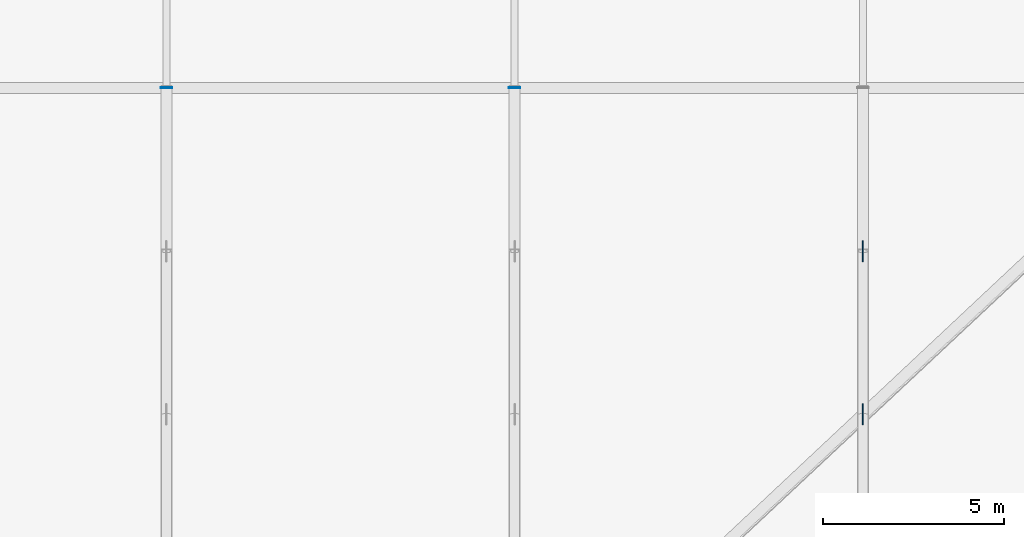
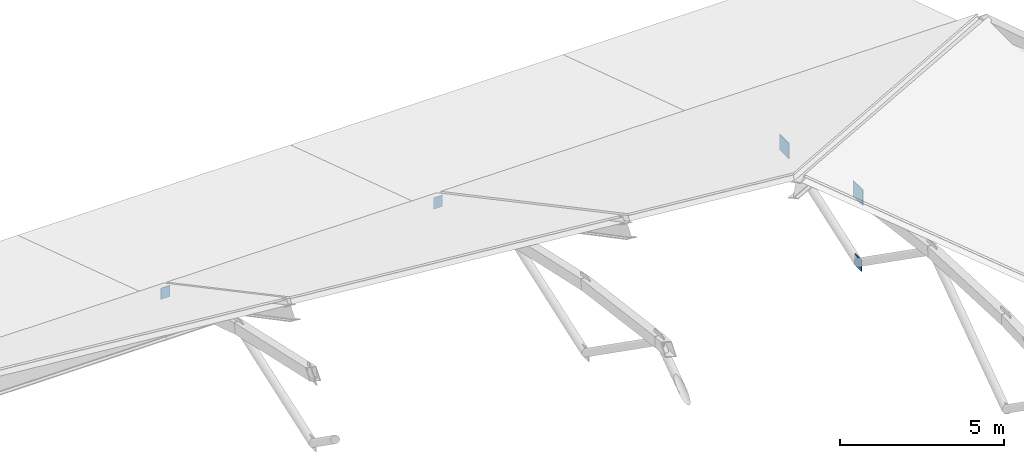
# One storey, part 13 of 16: 5 plates.
"""IFC4 building model written with IfcOpenShell, lengths in metres."""

from ifc_helpers import new_model, si_unit, direction, frame, origin, origin_2d, place, context, subcontext, project, spatial, rectangle, extrude, material, layer, layer_set, type_object, element, save


model = new_model("IFC4")

# Units and contexts
model_context = context("Model", 3, precision=1e-05, world=origin(), true_north=direction((0.0, 1.0)))
body_context = subcontext(model_context, "Body", "Model", "MODEL_VIEW")
ifc_project = project(units=[si_unit("LENGTHUNIT", "METRE"), si_unit("AREAUNIT", "SQUARE_METRE"), si_unit("VOLUMEUNIT", "CUBIC_METRE"), si_unit("PLANEANGLEUNIT", "RADIAN"), si_unit("MASSUNIT", "GRAM", prefix="KILO")], contexts=[model_context])

# Site, building, storey
site_placement = place(None, origin())
site = spatial("IfcSite", under=ifc_project, at=site_placement, CompositionType="ELEMENT")
building_placement = place(site_placement, origin())
building = spatial("IfcBuilding", under=site, at=building_placement, Name="Zarnetskaya Central Station", CompositionType="ELEMENT")
storey_placement = place(building_placement, frame((0.0, 0.0, 27.0)))
storey = spatial("IfcBuildingStorey", under=building, at=storey_placement, Name="RF", CompositionType="ELEMENT", Elevation=27.0)

# Plates
ifc_material = material(Name="Steel S355", Category="steel")
ifc_layer_1 = layer(ifc_material, 0.02001953125, Name="Steel S355", Category="steel")
ifc_layer_set_1 = layer_set([ifc_layer_1], Name="Steel S355")
plate_type_1 = type_object("IfcPlateType", Name="ND-ENDCAP-20", PredefinedType="SHEET", material=ifc_layer_set_1)
for number, where, z_axis, x_axis, name in (
    (1, (96.0, 58.199951171875, -13.10986328125), (0.0, 0.0, 1.0), (1.0, 0.0, 0.0), "ROOF TRUSS RT-05 end cap plate 2"),
    (2, (105.60009765625, 58.199951171875, -13.10986328125), (0.0, 0.0, 1.0), (1.0, 0.0, 0.0), "ROOF TRUSS RT-06 end cap plate 2"),
):
    element("IfcPlate", number, at=place(storey_placement, frame(where, z_axis=z_axis, x_axis=x_axis)), inside=storey, type_object=plate_type_1, Name=name, PredefinedType="SHEET", context=body_context, shape_type="SweptSolid", body=[
        extrude(rectangle(XDim=0.320068359375, YDim=0.02001953125, at=origin_2d()), origin(), (0.0, 0.0, 1.0), 0.419921875),
    ])
ifc_layer_2 = layer(ifc_material, 0.028076171875, Name="Steel S355", Category="steel")
ifc_layer_set_2 = layer_set([ifc_layer_2], Name="Steel S355")
plate_type_2 = type_object("IfcPlateType", Name="ND-GUSSET-28", PredefinedType="USERDEFINED", material=ifc_layer_set_2)
for number, where, z_axis, x_axis, name in (
    (3, (115.199951171875, 49.199951171875, -10.760009765625), (0.0, 0.0, 1.0), (1.0, 0.0, 0.0), "ROOF TRUSS RT-07 gusset node plate 6"),
    (4, (115.199951171875, 53.699951171875, -11.75830078125), (0.0, 0.0, 1.0), (1.0, 0.0, 0.0), "ROOF TRUSS RT-07 gusset node plate 7"),
):
    element("IfcPlate", number, at=place(storey_placement, frame(where, z_axis=z_axis, x_axis=x_axis)), inside=storey, type_object=plate_type_2, Name=name, ObjectType="GUSSET PLATE", PredefinedType="USERDEFINED", context=body_context, shape_type="SweptSolid", body=[
        extrude(rectangle(XDim=0.028076171875, YDim=0.580078125, at=origin_2d()), origin(), (0.0, 0.0, 1.0), 0.580078125),
    ])
plate_placement = place(storey_placement, frame((115.199951171875, 49.199951171875, -13.260009765625), z_axis=(0.0, 0.0, 1.0), x_axis=(1.0, 0.0, 0.0)))
element("IfcPlate", 5, at=plate_placement, inside=storey, type_object=plate_type_2, Name="Structural member end gusset plate 021", ObjectType="GUSSET PLATE", PredefinedType="USERDEFINED", context=body_context, shape_type="SweptSolid", body=[
    extrude(rectangle(XDim=0.028076171875, YDim=0.419921875, at=origin_2d()), origin(), (0.0, 0.0, 1.0), 0.419921875),
])

save(model, "model.ifc")
